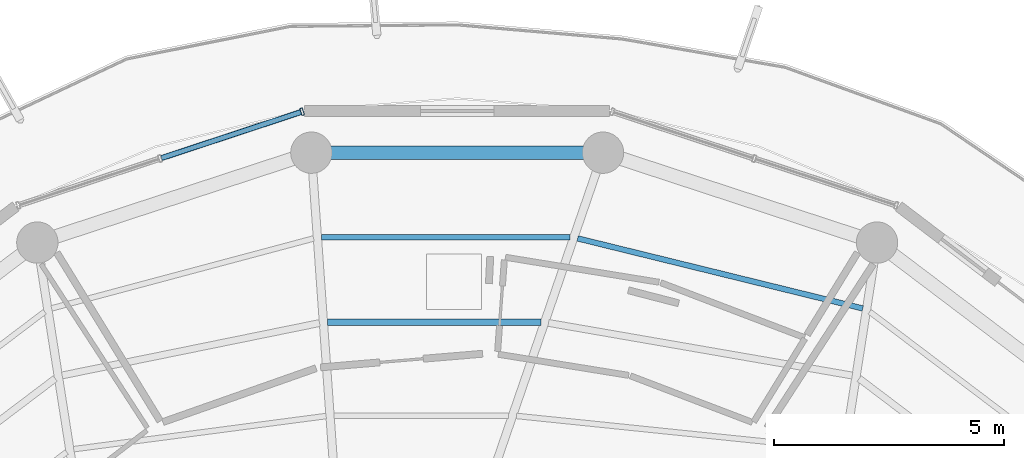
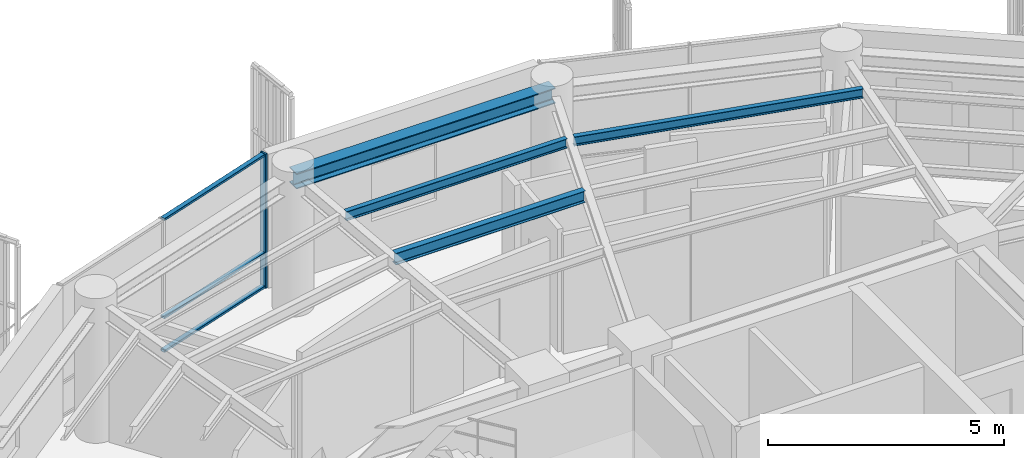
# One storey, part 12 of 22: 4 beams, 4 members, 1 element without a shape of its own.
"""IFC4 building model written with IfcOpenShell, lengths in metres."""

from ifc_helpers import new_model, si_unit, direction, frame, origin, origin_2d, place, context, subcontext, project, spatial, hollow_rectangle, i_section, extrude, material, layer, layer_set, material_profile, profile_set, type_object, element, aggregate, save


model = new_model("IFC4")

# Units and contexts
model_context = context("Model", 3, precision=1e-05, world=origin(), true_north=direction((0.0, 1.0)))
body_context = subcontext(model_context, "Body", "Model", "MODEL_VIEW")
ifc_project = project(units=[si_unit("LENGTHUNIT", "METRE"), si_unit("AREAUNIT", "SQUARE_METRE"), si_unit("VOLUMEUNIT", "CUBIC_METRE"), si_unit("PLANEANGLEUNIT", "RADIAN"), si_unit("MASSUNIT", "GRAM", prefix="KILO")], contexts=[model_context])

# Site, building, storey
site_placement = place(None, origin())
site = spatial("IfcSite", under=ifc_project, at=site_placement, CompositionType="ELEMENT")
building_placement = place(site_placement, origin())
building = spatial("IfcBuilding", under=site, at=building_placement, Name="Kelanora Arch Commons", CompositionType="ELEMENT")
storey_placement = place(building_placement, frame((0.0, 0.0, 267.449951171875)))
storey = spatial("IfcBuildingStorey", under=building, at=storey_placement, Name="L68", CompositionType="ELEMENT", Elevation=267.449951171875)

# Beams
ifc_material_1 = material(Name="Steel S355", Category="steel")
ifc_material_profile_1 = material_profile(ifc_material_1, i_section(OverallWidth=0.14990234375, OverallDepth=0.300048828125, WebThickness=0.007080078125, FlangeThickness=0.0107421875, FilletRadius=0.014892578125, at=origin_2d()), Name="IPE300")
ifc_profile_set_1 = profile_set([ifc_material_profile_1], Name="Steel S355")
beam_type_1 = type_object("IfcBeamType", Name="BM-JST-01", PredefinedType="JOIST", material=ifc_profile_set_1)
beam_1_placement = place(storey_placement, frame((75.819580078125, 70.537841796875, 3.340087890625), z_axis=(-1.0, 0.0, 0.0), x_axis=(0.0, -1.0, 0.0)))
element("IfcBeam", 1, at=beam_1_placement, inside=storey, type_object=beam_type_1, Name="Secondary Chord Joist BJB-08 L68", PredefinedType="JOIST", context=body_context, shape_type="SweptSolid", body=[
    extrude(i_section(OverallWidth=0.14990234375, OverallDepth=0.300048828125, WebThickness=0.007080078125, FlangeThickness=0.0107421875, FilletRadius=0.014892578125, at=origin_2d()), origin(), (0.0, 0.0, 1.0), 4.647216796875),
])
ifc_material_profile_2 = material_profile(ifc_material_1, i_section(OverallWidth=0.1201171875, OverallDepth=0.239990234375, WebThickness=0.006103515625, FlangeThickness=0.009765625, FilletRadius=0.014892578125, at=origin_2d()), Name="IPE240")
ifc_profile_set_2 = profile_set([ifc_material_profile_2], Name="Steel S355")
beam_type_2 = type_object("IfcBeamType", Name="BM-JST-02", PredefinedType="JOIST", material=ifc_profile_set_2)
beam_2_placement = place(storey_placement, frame((82.82958984375, 70.837890625, 3.3701171875), z_axis=(-0.971109719488, 0.23863342749, 0.0), x_axis=(-0.23863342749, -0.971109719488, 0.0)))
element("IfcBeam", 2, at=beam_2_placement, inside=storey, type_object=beam_type_2, Name="Secondary Chord Joist BJC-06 L68", PredefinedType="JOIST", context=body_context, shape_type="SweptSolid", body=[
    extrude(i_section(OverallWidth=0.1201171875, OverallDepth=0.239990234375, WebThickness=0.006103515625, FlangeThickness=0.009765625, FilletRadius=0.014892578125, at=origin_2d()), origin(), (0.0, 0.0, 1.0), 6.39208984375),
])
beam_3_placement = place(storey_placement, frame((76.454345703125, 72.3837890625, 3.3701171875), z_axis=(-1.0, 0.0, 0.0), x_axis=(0.0, -1.0, 0.0)))
element("IfcBeam", 3, at=beam_3_placement, inside=storey, type_object=beam_type_2, Name="Secondary Chord Joist BJC-08 L68", PredefinedType="JOIST", context=body_context, shape_type="SweptSolid", body=[
    extrude(i_section(OverallWidth=0.1201171875, OverallDepth=0.239990234375, WebThickness=0.006103515625, FlangeThickness=0.009765625, FilletRadius=0.014892578125, at=origin_2d()), origin(), (0.0, 0.0, 1.0), 5.412841796875),
])
ifc_material_profile_3 = material_profile(ifc_material_1, i_section(OverallWidth=0.300048828125, OverallDepth=0.39990234375, WebThickness=0.013427734375, FlangeThickness=0.02392578125, FilletRadius=0.027099609375, at=origin_2d()), Name="HEB400")
ifc_profile_set_3 = profile_set([ifc_material_profile_3], Name="Steel S355")
beam_type_3 = type_object("IfcBeamType", Name="BM-SPN-Z4", PredefinedType="SPANDREL", material=ifc_profile_set_3)
beam_4_placement = place(storey_placement, frame((77.17431640625, 74.2294921875, 3.2900390625), z_axis=(-1.0, 0.0, 0.0), x_axis=(0.0, -1.0, 0.0)))
element("IfcBeam", 4, at=beam_4_placement, inside=storey, type_object=beam_type_3, Name="Perimeter Spandrel Beam BS-08 L68", PredefinedType="SPANDREL", context=body_context, shape_type="SweptSolid", body=[
    extrude(i_section(OverallWidth=0.300048828125, OverallDepth=0.39990234375, WebThickness=0.013427734375, FlangeThickness=0.02392578125, FilletRadius=0.027099609375, at=origin_2d()), origin(), (0.0, 0.0, 1.0), 6.3486328125),
])

# Curtain wall, members
ifc_material_2 = material(Name="Terracotta ceramic-fritted low-E glass and aluminium", Category="masonry")
ifc_layer = layer(ifc_material_2, 0.18994140625)
ifc_layer_set = layer_set([ifc_layer], Name="Terracotta ceramic-fritted low-E glass and aluminium")
curtain_wall_type = type_object("IfcCurtainWallType", Name="CW-SYS-03", PredefinedType="NOTDEFINED", material=ifc_layer_set)
curtain_wall_placement = place(storey_placement, origin())
curtain_wall = element("IfcCurtainWall", 5, at=curtain_wall_placement, inside=storey, type_object=curtain_wall_type, Name="Unitised Curtain Wall L68-B05", PredefinedType="NOTDEFINED")
ifc_material_3 = material(Name="Powder-coated aluminium terracotta", Category="masonry")
ifc_material_profile_4 = material_profile(ifc_material_3, hollow_rectangle(XDim=0.159912109375, YDim=0.06005859375, WallThickness=0.0048828125, InnerFilletRadius=0.0048828125, OuterFilletRadius=0.010009765625, at=origin_2d()), Name="CWM160x60")
ifc_profile_set_4 = profile_set([ifc_material_profile_4], Name="Powder-coated aluminium terracotta")
member_type_1 = type_object("IfcMemberType", Name="CWM-STD", PredefinedType="MULLION", material=ifc_profile_set_4)
member_1_placement = place(storey_placement, frame((70.623291015625, 75.12158203125, 0.0), z_axis=(0.0, 0.0, 1.0), x_axis=(0.313252785344, -0.949669780752, 0.0)))
member_1 = element("IfcMember", 6, at=member_1_placement, type_object=member_type_1, Name="CW-03 mullion 1", PredefinedType="MULLION", context=body_context, shape_type="SweptSolid", body=[
    extrude(hollow_rectangle(XDim=0.159912109375, YDim=0.06005859375, WallThickness=0.0048828125, InnerFilletRadius=0.0048828125, OuterFilletRadius=0.010009765625, at=origin_2d()), origin(), (0.0, 0.0, 1.0), 3.47509765625),
])
ifc_material_profile_5 = material_profile(ifc_material_3, hollow_rectangle(XDim=0.1201171875, YDim=0.06005859375, WallThickness=0.0048828125, InnerFilletRadius=0.0048828125, OuterFilletRadius=0.010009765625, at=origin_2d()), Name="CWT120x60")
ifc_profile_set_5 = profile_set([ifc_material_profile_5], Name="Powder-coated aluminium terracotta")
member_type_2 = type_object("IfcMemberType", Name="CWT-STD", PredefinedType="USERDEFINED", material=ifc_profile_set_5)
member_2_placement = place(storey_placement, frame((70.5947265625, 75.1123046875, 0.030029296875), z_axis=(-0.949649574195, -0.313314037719, 0.0), x_axis=(0.313314037719, -0.949649574195, 0.0)))
member_2 = element("IfcMember", 7, at=member_2_placement, type_object=member_type_2, Name="CW-03 transom 1.1", ObjectType="TRANSOM", PredefinedType="USERDEFINED", context=body_context, shape_type="SweptSolid", body=[
    extrude(hollow_rectangle(XDim=0.1201171875, YDim=0.06005859375, WallThickness=0.0048828125, InnerFilletRadius=0.0048828125, OuterFilletRadius=0.010009765625, at=origin_2d()), origin(), (0.0, 0.0, 1.0), 3.194091796875),
])
member_3_placement = place(storey_placement, frame((70.5947265625, 75.1123046875, 0.900146484375), z_axis=(-0.949649574195, -0.313314037719, 0.0), x_axis=(0.313314037719, -0.949649574195, 0.0)))
member_3 = element("IfcMember", 8, at=member_3_placement, type_object=member_type_2, Name="CW-03 transom 1.2", ObjectType="TRANSOM", PredefinedType="USERDEFINED", context=body_context, shape_type="SweptSolid", body=[
    extrude(hollow_rectangle(XDim=0.1201171875, YDim=0.06005859375, WallThickness=0.0048828125, InnerFilletRadius=0.0048828125, OuterFilletRadius=0.010009765625, at=origin_2d()), origin(), (0.0, 0.0, 1.0), 3.194091796875),
])
member_4_placement = place(storey_placement, frame((70.5947265625, 75.1123046875, 3.445068359375), z_axis=(-0.949649574195, -0.313314037719, 0.0), x_axis=(0.313314037719, -0.949649574195, 0.0)))
member_4 = element("IfcMember", 9, at=member_4_placement, type_object=member_type_2, Name="CW-03 transom 1.3", ObjectType="TRANSOM", PredefinedType="USERDEFINED", context=body_context, shape_type="SweptSolid", body=[
    extrude(hollow_rectangle(XDim=0.1201171875, YDim=0.06005859375, WallThickness=0.0048828125, InnerFilletRadius=0.0048828125, OuterFilletRadius=0.010009765625, at=origin_2d()), origin(), (0.0, 0.0, 1.0), 3.194091796875),
])
aggregate(curtain_wall, [member_1, member_2, member_3, member_4])

save(model, "model.ifc")
